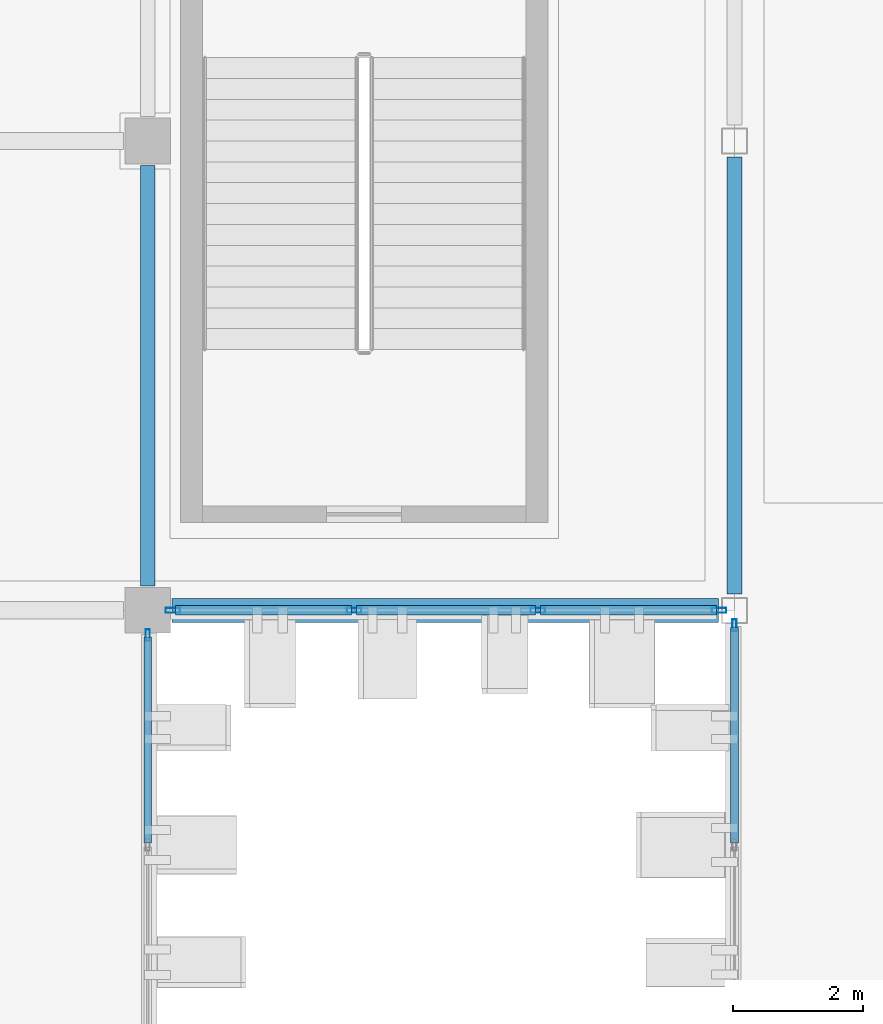
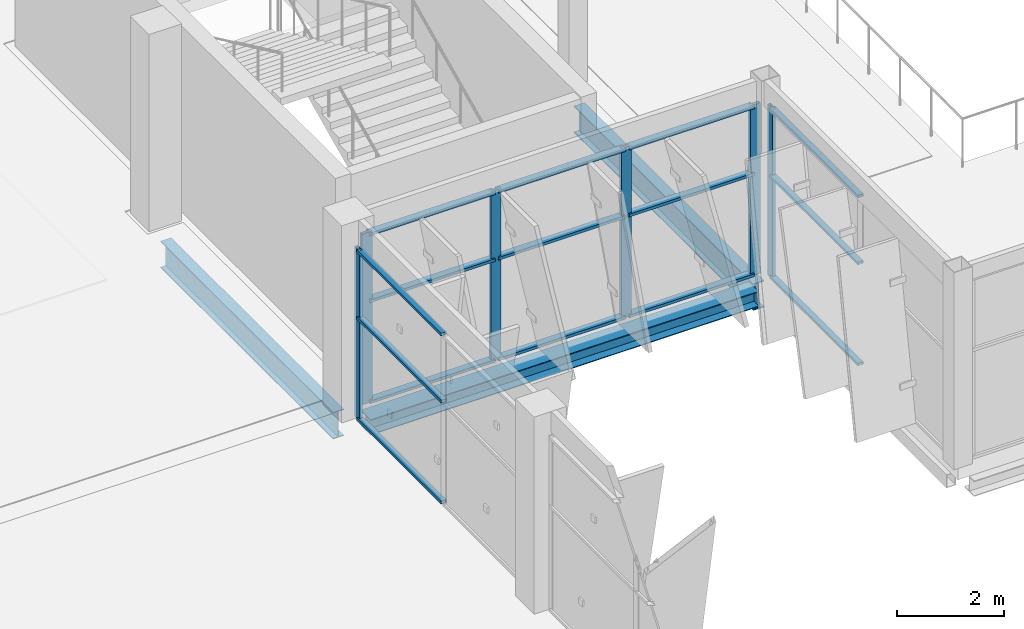
# One storey, part 60 of 151: 21 members, 3 beams, 3 elements without a shape of their own.
"""IFC4 building model written with IfcOpenShell, lengths in metres."""

from ifc_helpers import new_model, si_unit, direction, frame, origin, origin_2d, place, context, subcontext, project, spatial, hollow_rectangle, i_section, extrude, material, layer, layer_set, material_profile, profile_set, type_object, element, aggregate, save


model = new_model("IFC4")

# Units and contexts
model_context = context("Model", 3, precision=1e-05, world=origin(), true_north=direction((0.0, 1.0)))
body_context = subcontext(model_context, "Body", "Model", "MODEL_VIEW")
ifc_project = project(units=[si_unit("LENGTHUNIT", "METRE"), si_unit("AREAUNIT", "SQUARE_METRE"), si_unit("VOLUMEUNIT", "CUBIC_METRE"), si_unit("PLANEANGLEUNIT", "RADIAN"), si_unit("MASSUNIT", "GRAM", prefix="KILO")], contexts=[model_context])

# Site, building, storey
site_placement = place(None, origin())
site = spatial("IfcSite", under=ifc_project, at=site_placement, CompositionType="ELEMENT")
building_placement = place(site_placement, origin())
building = spatial("IfcBuilding", under=site, at=building_placement, Name="Celestram Park Convention Centre", CompositionType="ELEMENT")
storey_placement = place(building_placement, frame((0.0, 0.0, 10.800048828125)))
storey = spatial("IfcBuildingStorey", under=building, at=storey_placement, Name="L02", CompositionType="ELEMENT", Elevation=10.800048828125)

# Curtain wall, member
ifc_material_1 = material(Name="Anodised Aluminium Alloy 6063-T6", Category="aluminium")
ifc_layer_1 = layer(ifc_material_1, 0.179931640625)
ifc_layer_set_1 = layer_set([ifc_layer_1], Name="Anodised Aluminium Alloy 6063-T6")
curtain_wall_type_1 = type_object("IfcCurtainWallType", Name="ARC-CW-680X389", PredefinedType="NOTDEFINED", material=ifc_layer_set_1)
curtain_wall_1_placement = place(storey_placement, origin())
curtain_wall_1 = element("IfcCurtainWall", 1, at=curtain_wall_1_placement, inside=storey, type_object=curtain_wall_type_1, Name="Unitised curtain wall CU-L02-179", PredefinedType="NOTDEFINED")
ifc_material_profile_1 = material_profile(ifc_material_1, hollow_rectangle(XDim=0.06494140625, YDim=0.179931640625, WallThickness=0.00390625, at=origin_2d()), Name="ALU65X180X4")
ifc_profile_set_1 = profile_set([ifc_material_profile_1], Name="Anodised Aluminium Alloy 6063-T6")
member_type_1 = type_object("IfcMemberType", Name="ARC-CWM-150", PredefinedType="MULLION", material=ifc_profile_set_1)
member_1_placement = place(storey_placement, frame((153.0, 122.16943359375, 0.0), z_axis=(0.0, 0.0, 1.0), x_axis=(-1.0, 0.0, 0.0)))
member_1 = element("IfcMember", 2, at=member_1_placement, type_object=member_type_1, Name="CW-68X38 mullion 3", PredefinedType="MULLION", context=body_context, shape_type="SweptSolid", body=[
    extrude(hollow_rectangle(XDim=0.06494140625, YDim=0.179931640625, WallThickness=0.00390625, at=origin_2d()), origin(), (0.0, 0.0, 1.0), 3.89404296875),
])

ifc_layer_2 = layer(ifc_material_1, 0.179931640625)
ifc_layer_set_2 = layer_set([ifc_layer_2], Name="Anodised Aluminium Alloy 6063-T6")
curtain_wall_type_2 = type_object("IfcCurtainWallType", Name="ARC-CW-650X389", PredefinedType="NOTDEFINED", material=ifc_layer_set_2)
curtain_wall_2_placement = place(storey_placement, origin())
curtain_wall_2 = element("IfcCurtainWall", 3, at=curtain_wall_2_placement, inside=storey, type_object=curtain_wall_type_2, Name="Unitised curtain wall CU-L02-181", PredefinedType="NOTDEFINED")
member_2_placement = place(storey_placement, frame((144.0, 122.01953125, 0.0), z_axis=(0.0, 0.0, 1.0), x_axis=(1.0, 0.0, 0.0)))
member_2 = element("IfcMember", 4, at=member_2_placement, type_object=member_type_1, Name="CW-65X38 mullion 1", PredefinedType="MULLION", context=body_context, shape_type="SweptSolid", body=[
    extrude(hollow_rectangle(XDim=0.06494140625, YDim=0.179931640625, WallThickness=0.00390625, at=origin_2d()), origin(), (0.0, 0.0, 1.0), 3.89404296875),
])

# Curtain wall, members
ifc_layer_3 = layer(ifc_material_1, 0.179931640625)
ifc_layer_set_3 = layer_set([ifc_layer_3], Name="Anodised Aluminium Alloy 6063-T6")
curtain_wall_type_3 = type_object("IfcCurtainWallType", Name="ARC-CW-845X389", PredefinedType="NOTDEFINED", material=ifc_layer_set_3)
curtain_wall_3_placement = place(storey_placement, origin())
curtain_wall_3 = element("IfcCurtainWall", 5, at=curtain_wall_3_placement, inside=storey, type_object=curtain_wall_type_3, Name="Unitised curtain wall CU-L02-180", PredefinedType="NOTDEFINED")
ifc_material_profile_2 = material_profile(ifc_material_1, hollow_rectangle(XDim=0.074951171875, YDim=0.219970703125, WallThickness=0.00390625, at=origin_2d()), Name="ALU75X220X4")
ifc_profile_set_2 = profile_set([ifc_material_profile_2], Name="Anodised Aluminium Alloy 6063-T6")
member_type_2 = type_object("IfcMemberType", Name="ARC-CWM-180", PredefinedType="MULLION", material=ifc_profile_set_2)
member_3_placement = place(storey_placement, frame((152.764404296875, 122.39990234375, 0.0), z_axis=(0.0, 0.0, 1.0), x_axis=(0.0, -1.0, 0.0)))
member_3 = element("IfcMember", 6, at=member_3_placement, type_object=member_type_2, Name="CW-84X38 mullion 1", PredefinedType="MULLION", context=body_context, shape_type="SweptSolid", body=[
    extrude(hollow_rectangle(XDim=0.074951171875, YDim=0.219970703125, WallThickness=0.00390625, at=origin_2d()), origin(), (0.0, 0.0, 1.0), 3.89404296875),
])
member_4_placement = place(storey_placement, frame((149.98388671875, 122.39990234375, 0.0), z_axis=(0.0, 0.0, 1.0), x_axis=(0.0, -1.0, 0.0)))
member_4 = element("IfcMember", 7, at=member_4_placement, type_object=member_type_2, Name="CW-84X38 mullion 2", PredefinedType="MULLION", context=body_context, shape_type="SweptSolid", body=[
    extrude(hollow_rectangle(XDim=0.074951171875, YDim=0.219970703125, WallThickness=0.00390625, at=origin_2d()), origin(), (0.0, 0.0, 1.0), 3.89404296875),
])
member_5_placement = place(storey_placement, frame((147.166015625, 122.39990234375, 0.0), z_axis=(0.0, 0.0, 1.0), x_axis=(0.0, -1.0, 0.0)))
member_5 = element("IfcMember", 8, at=member_5_placement, type_object=member_type_2, Name="CW-84X38 mullion 3", PredefinedType="MULLION", context=body_context, shape_type="SweptSolid", body=[
    extrude(hollow_rectangle(XDim=0.074951171875, YDim=0.219970703125, WallThickness=0.00390625, at=origin_2d()), origin(), (0.0, 0.0, 1.0), 3.89404296875),
])
member_6_placement = place(storey_placement, frame((144.385498046875, 122.39990234375, 0.0), z_axis=(0.0, 0.0, 1.0), x_axis=(0.0, -1.0, 0.0)))
member_6 = element("IfcMember", 9, at=member_6_placement, type_object=member_type_2, Name="CW-84X38 mullion 4", PredefinedType="MULLION", context=body_context, shape_type="SweptSolid", body=[
    extrude(hollow_rectangle(XDim=0.074951171875, YDim=0.219970703125, WallThickness=0.00390625, at=origin_2d()), origin(), (0.0, 0.0, 1.0), 3.89404296875),
])

# Member
ifc_material_profile_3 = material_profile(ifc_material_1, hollow_rectangle(XDim=0.1201171875, YDim=0.06005859375, WallThickness=0.0029296875, at=origin_2d()), Name="ALU120X60X3")
ifc_profile_set_3 = profile_set([ifc_material_profile_3], Name="Anodised Aluminium Alloy 6063-T6")
member_type_3 = type_object("IfcMemberType", Name="ARC-CWT-120", PredefinedType="USERDEFINED", material=ifc_profile_set_3)
member_7_placement = place(storey_placement, frame((153.0, 118.83251953125, 0.030029296875), z_axis=(0.0, 1.0, 0.0), x_axis=(-1.0, 0.0, 0.0)))
member_7 = element("IfcMember", 10, at=member_7_placement, type_object=member_type_3, Name="CW-68X38 transom 2.1", ObjectType="TRANSOM", PredefinedType="USERDEFINED", context=body_context, shape_type="SweptSolid", body=[
    extrude(hollow_rectangle(XDim=0.1201171875, YDim=0.06005859375, WallThickness=0.0029296875, at=origin_2d()), origin(), (0.0, 0.0, 1.0), 3.304443359375),
])

member_8_placement = place(storey_placement, frame((153.0, 118.83251953125, 2.3359375), z_axis=(0.0, 1.0, 0.0), x_axis=(-1.0, 0.0, 0.0)))
member_8 = element("IfcMember", 11, at=member_8_placement, type_object=member_type_3, Name="CW-68X38 transom 2.2", ObjectType="TRANSOM", PredefinedType="USERDEFINED", context=body_context, shape_type="SweptSolid", body=[
    extrude(hollow_rectangle(XDim=0.1201171875, YDim=0.06005859375, WallThickness=0.0029296875, at=origin_2d()), origin(), (0.0, 0.0, 1.0), 3.304443359375),
])

member_9_placement = place(storey_placement, frame((153.0, 118.83251953125, 3.864013671875), z_axis=(0.0, 1.0, 0.0), x_axis=(-1.0, 0.0, 0.0)))
member_9 = element("IfcMember", 12, at=member_9_placement, type_object=member_type_3, Name="CW-68X38 transom 2.3", ObjectType="TRANSOM", PredefinedType="USERDEFINED", context=body_context, shape_type="SweptSolid", body=[
    extrude(hollow_rectangle(XDim=0.1201171875, YDim=0.06005859375, WallThickness=0.0029296875, at=origin_2d()), origin(), (0.0, 0.0, 1.0), 3.304443359375),
])

aggregate(curtain_wall_1, [member_1, member_7, member_8, member_9])

member_10_placement = place(storey_placement, frame((144.0, 121.987060546875, 0.030029296875), z_axis=(0.0, -1.0, 0.0), x_axis=(1.0, 0.0, 0.0)))
member_10 = element("IfcMember", 13, at=member_10_placement, type_object=member_type_3, Name="CW-65X38 transom 1.1", ObjectType="TRANSOM", PredefinedType="USERDEFINED", context=body_context, shape_type="SweptSolid", body=[
    extrude(hollow_rectangle(XDim=0.1201171875, YDim=0.06005859375, WallThickness=0.0029296875, at=origin_2d()), origin(), (0.0, 0.0, 1.0), 3.154541015625),
])

member_11_placement = place(storey_placement, frame((144.0, 121.987060546875, 2.3359375), z_axis=(0.0, -1.0, 0.0), x_axis=(1.0, 0.0, 0.0)))
member_11 = element("IfcMember", 14, at=member_11_placement, type_object=member_type_3, Name="CW-65X38 transom 1.2", ObjectType="TRANSOM", PredefinedType="USERDEFINED", context=body_context, shape_type="SweptSolid", body=[
    extrude(hollow_rectangle(XDim=0.1201171875, YDim=0.06005859375, WallThickness=0.0029296875, at=origin_2d()), origin(), (0.0, 0.0, 1.0), 3.154541015625),
])

member_12_placement = place(storey_placement, frame((144.0, 121.987060546875, 3.864013671875), z_axis=(0.0, -1.0, 0.0), x_axis=(1.0, 0.0, 0.0)))
member_12 = element("IfcMember", 15, at=member_12_placement, type_object=member_type_3, Name="CW-65X38 transom 1.3", ObjectType="TRANSOM", PredefinedType="USERDEFINED", context=body_context, shape_type="SweptSolid", body=[
    extrude(hollow_rectangle(XDim=0.1201171875, YDim=0.06005859375, WallThickness=0.0029296875, at=origin_2d()), origin(), (0.0, 0.0, 1.0), 3.154541015625),
])

aggregate(curtain_wall_2, [member_2, member_10, member_11, member_12])

ifc_material_profile_4 = material_profile(ifc_material_1, hollow_rectangle(XDim=0.14990234375, YDim=0.06494140625, WallThickness=0.0029296875, at=origin_2d()), Name="ALU150X65X3")
ifc_profile_set_4 = profile_set([ifc_material_profile_4], Name="Anodised Aluminium Alloy 6063-T6")
member_type_4 = type_object("IfcMemberType", Name="ARC-CWT-150", PredefinedType="USERDEFINED", material=ifc_profile_set_4)
member_13_placement = place(storey_placement, frame((152.72705078125, 122.39990234375, 0.032470703125), z_axis=(-1.0, 0.0, 0.0), x_axis=(0.0, -1.0, 0.0)))
member_13 = element("IfcMember", 16, at=member_13_placement, type_object=member_type_4, Name="CW-84X38 transom 1.1", ObjectType="TRANSOM", PredefinedType="USERDEFINED", context=body_context, shape_type="SweptSolid", body=[
    extrude(hollow_rectangle(XDim=0.14990234375, YDim=0.06494140625, WallThickness=0.0029296875, at=origin_2d()), origin(), (0.0, 0.0, 1.0), 2.70556640625),
])

member_14_placement = place(storey_placement, frame((152.72705078125, 122.39990234375, 2.3359375), z_axis=(-1.0, 0.0, 0.0), x_axis=(0.0, -1.0, 0.0)))
member_14 = element("IfcMember", 17, at=member_14_placement, type_object=member_type_4, Name="CW-84X38 transom 1.2", ObjectType="TRANSOM", PredefinedType="USERDEFINED", context=body_context, shape_type="SweptSolid", body=[
    extrude(hollow_rectangle(XDim=0.14990234375, YDim=0.06494140625, WallThickness=0.0029296875, at=origin_2d()), origin(), (0.0, 0.0, 1.0), 2.70556640625),
])

member_15_placement = place(storey_placement, frame((152.72705078125, 122.39990234375, 3.861572265625), z_axis=(-1.0, 0.0, 0.0), x_axis=(0.0, -1.0, 0.0)))
member_15 = element("IfcMember", 18, at=member_15_placement, type_object=member_type_4, Name="CW-84X38 transom 1.3", ObjectType="TRANSOM", PredefinedType="USERDEFINED", context=body_context, shape_type="SweptSolid", body=[
    extrude(hollow_rectangle(XDim=0.14990234375, YDim=0.06494140625, WallThickness=0.0029296875, at=origin_2d()), origin(), (0.0, 0.0, 1.0), 2.70556640625),
])

member_16_placement = place(storey_placement, frame((149.946533203125, 122.39990234375, 0.032470703125), z_axis=(-1.0, 0.0, 0.0), x_axis=(0.0, -1.0, 0.0)))
member_16 = element("IfcMember", 19, at=member_16_placement, type_object=member_type_4, Name="CW-84X38 transom 2.1", ObjectType="TRANSOM", PredefinedType="USERDEFINED", context=body_context, shape_type="SweptSolid", body=[
    extrude(hollow_rectangle(XDim=0.14990234375, YDim=0.06494140625, WallThickness=0.0029296875, at=origin_2d()), origin(), (0.0, 0.0, 1.0), 2.742919921875),
])

member_17_placement = place(storey_placement, frame((149.946533203125, 122.39990234375, 2.3359375), z_axis=(-1.0, 0.0, 0.0), x_axis=(0.0, -1.0, 0.0)))
member_17 = element("IfcMember", 20, at=member_17_placement, type_object=member_type_4, Name="CW-84X38 transom 2.2", ObjectType="TRANSOM", PredefinedType="USERDEFINED", context=body_context, shape_type="SweptSolid", body=[
    extrude(hollow_rectangle(XDim=0.14990234375, YDim=0.06494140625, WallThickness=0.0029296875, at=origin_2d()), origin(), (0.0, 0.0, 1.0), 2.742919921875),
])

member_18_placement = place(storey_placement, frame((149.946533203125, 122.39990234375, 3.861572265625), z_axis=(-1.0, 0.0, 0.0), x_axis=(0.0, -1.0, 0.0)))
member_18 = element("IfcMember", 21, at=member_18_placement, type_object=member_type_4, Name="CW-84X38 transom 2.3", ObjectType="TRANSOM", PredefinedType="USERDEFINED", context=body_context, shape_type="SweptSolid", body=[
    extrude(hollow_rectangle(XDim=0.14990234375, YDim=0.06494140625, WallThickness=0.0029296875, at=origin_2d()), origin(), (0.0, 0.0, 1.0), 2.742919921875),
])

member_19_placement = place(storey_placement, frame((147.12841796875, 122.39990234375, 0.032470703125), z_axis=(-1.0, 0.0, 0.0), x_axis=(0.0, -1.0, 0.0)))
member_19 = element("IfcMember", 22, at=member_19_placement, type_object=member_type_4, Name="CW-84X38 transom 3.1", ObjectType="TRANSOM", PredefinedType="USERDEFINED", context=body_context, shape_type="SweptSolid", body=[
    extrude(hollow_rectangle(XDim=0.14990234375, YDim=0.06494140625, WallThickness=0.0029296875, at=origin_2d()), origin(), (0.0, 0.0, 1.0), 2.705322265625),
])

member_20_placement = place(storey_placement, frame((147.12841796875, 122.39990234375, 2.3359375), z_axis=(-1.0, 0.0, 0.0), x_axis=(0.0, -1.0, 0.0)))
member_20 = element("IfcMember", 23, at=member_20_placement, type_object=member_type_4, Name="CW-84X38 transom 3.2", ObjectType="TRANSOM", PredefinedType="USERDEFINED", context=body_context, shape_type="SweptSolid", body=[
    extrude(hollow_rectangle(XDim=0.14990234375, YDim=0.06494140625, WallThickness=0.0029296875, at=origin_2d()), origin(), (0.0, 0.0, 1.0), 2.705322265625),
])

member_21_placement = place(storey_placement, frame((147.12841796875, 122.39990234375, 3.861572265625), z_axis=(-1.0, 0.0, 0.0), x_axis=(0.0, -1.0, 0.0)))
member_21 = element("IfcMember", 24, at=member_21_placement, type_object=member_type_4, Name="CW-84X38 transom 3.3", ObjectType="TRANSOM", PredefinedType="USERDEFINED", context=body_context, shape_type="SweptSolid", body=[
    extrude(hollow_rectangle(XDim=0.14990234375, YDim=0.06494140625, WallThickness=0.0029296875, at=origin_2d()), origin(), (0.0, 0.0, 1.0), 2.705322265625),
])

aggregate(curtain_wall_3, [member_3, member_4, member_5, member_6, member_13, member_14, member_15, member_16, member_17, member_18, member_19, member_20, member_21])

# Beams
ifc_material_2 = material(Name="Steel ASTM A992 Grade 50", Category="steel")
ifc_material_profile_5 = material_profile(ifc_material_2, i_section(OverallWidth=0.22900390625, OverallDepth=0.612060546875, WebThickness=0.011962890625, FlangeThickness=0.01953125, at=origin_2d()), Name="W24X84")
ifc_profile_set_5 = profile_set([ifc_material_profile_5], Name="Steel ASTM A992 Grade 50")
beam_type_1 = type_object("IfcBeamType", Name="STR-BM-W24X84", PredefinedType="BEAM", material=ifc_profile_set_5)
beam_1_placement = place(storey_placement, frame((144.0, 122.77294921875, -0.5859375), z_axis=(0.0, 1.0, 0.0), x_axis=(-1.0, 0.0, 0.0)))
element("IfcBeam", 25, at=beam_1_placement, inside=storey, type_object=beam_type_1, Name="Primary Y-girder BG-L02-0256", PredefinedType="BEAM", context=body_context, shape_type="SweptSolid", body=[
    extrude(i_section(OverallWidth=0.22900390625, OverallDepth=0.612060546875, WebThickness=0.011962890625, FlangeThickness=0.01953125, at=origin_2d()), origin(), (0.0, 0.0, 1.0), 6.4541015625),
])
beam_2_placement = place(storey_placement, frame((153.0, 122.64794921875, -0.72607421875), z_axis=(0.0, 1.0, 0.0), x_axis=(-1.0, 0.0, 0.0)))
element("IfcBeam", 26, at=beam_2_placement, inside=storey, type_object=beam_type_1, Name="Primary Y-girder BG-L02-0277", PredefinedType="BEAM", context=body_context, shape_type="SweptSolid", body=[
    extrude(i_section(OverallWidth=0.22900390625, OverallDepth=0.612060546875, WebThickness=0.011962890625, FlangeThickness=0.01953125, at=origin_2d()), origin(), (0.0, 0.0, 1.0), 6.7041015625),
])
ifc_material_profile_6 = material_profile(ifc_material_2, i_section(OverallWidth=0.367919921875, OverallDepth=0.35595703125, WebThickness=0.01123046875, FlangeThickness=0.01806640625, at=origin_2d()), Name="W14X90")
ifc_profile_set_6 = profile_set([ifc_material_profile_6], Name="Steel ASTM A992 Grade 50")
beam_type_2 = type_object("IfcBeamType", Name="STR-SPN-W14X90", PredefinedType="SPANDREL", material=ifc_profile_set_6)
beam_3_placement = place(storey_placement, frame((144.373046875, 122.39990234375, -0.4580078125), z_axis=(1.0, 0.0, 0.0), x_axis=(0.0, 1.0, 0.0)))
element("IfcBeam", 27, at=beam_3_placement, inside=storey, type_object=beam_type_2, Name="Primary X-girder BG-L02-0255", PredefinedType="SPANDREL", context=body_context, shape_type="SweptSolid", body=[
    extrude(i_section(OverallWidth=0.367919921875, OverallDepth=0.35595703125, WebThickness=0.01123046875, FlangeThickness=0.01806640625, at=origin_2d()), origin(), (0.0, 0.0, 1.0), 8.37890625),
])

save(model, "model.ifc")
